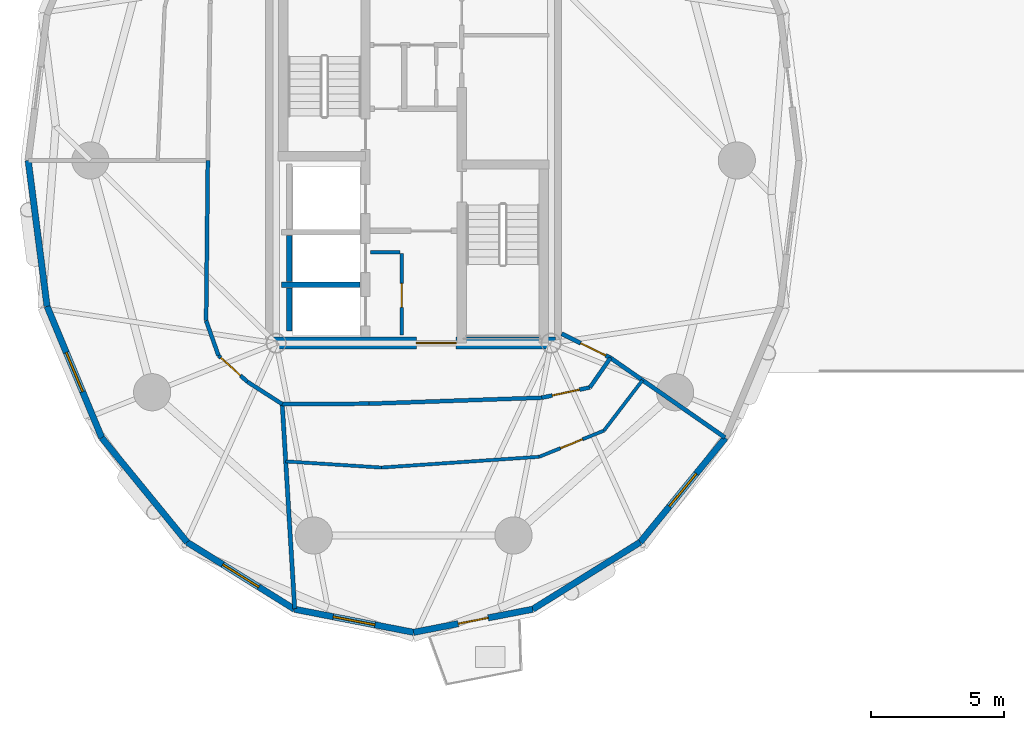
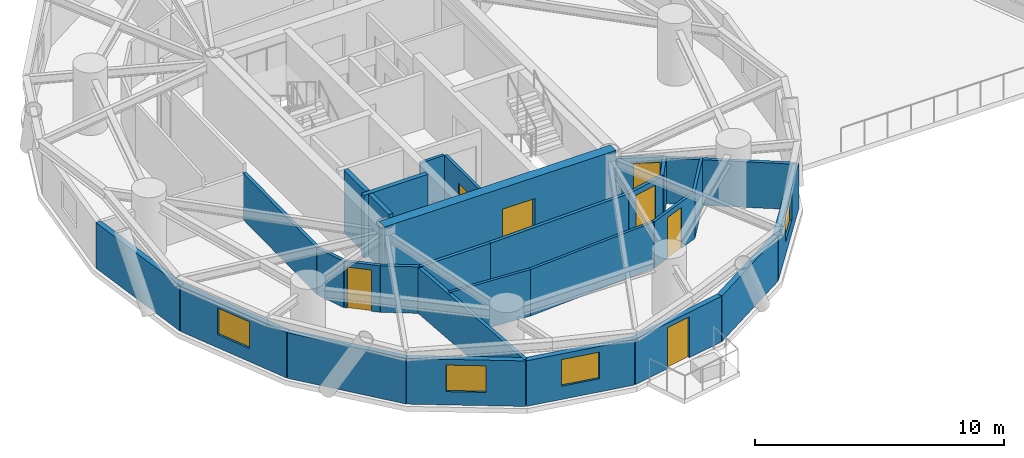
# One storey, part 9 of 19: 29 walls, 7 doors, 4 windows, 11 openings.
"""IFC4 building model written with IfcOpenShell, lengths in metres."""

from ifc_helpers import new_model, si_unit, direction, frame, frame_2d, origin, place, context, subcontext, project, spatial, rectangle, extrude, source, transform, mapped, material, layer, layer_set, type_object, element, fill, save


model = new_model("IFC4")

# Units and contexts
model_context = context("Model", 3, precision=1e-05, world=origin(), true_north=direction((0.0, 1.0)))
body_context = subcontext(model_context, "Body", "Model", "MODEL_VIEW")
ifc_project = project(units=[si_unit("LENGTHUNIT", "METRE"), si_unit("AREAUNIT", "SQUARE_METRE"), si_unit("VOLUMEUNIT", "CUBIC_METRE"), si_unit("PLANEANGLEUNIT", "RADIAN"), si_unit("MASSUNIT", "GRAM", prefix="KILO")], contexts=[model_context])

# Site, building, storey
site_placement = place(None, origin())
site = spatial("IfcSite", under=ifc_project, at=site_placement, CompositionType="ELEMENT")
building_placement = place(site_placement, origin())
building = spatial("IfcBuilding", under=site, at=building_placement, Name="Cununo Teusaquillo Station Towers", CompositionType="ELEMENT")
storey_placement = place(building_placement, frame((0.0, 0.0, 144.0400390625)))
storey = spatial("IfcBuildingStorey", under=building, at=storey_placement, Name="L45", CompositionType="ELEMENT", Elevation=144.0400390625)

# Walls
ifc_material_1 = material(Name="Concrete C50/60", Category="concrete")
ifc_layer_1 = layer(ifc_material_1, 0.199951171875)
ifc_layer_set_1 = layer_set([ifc_layer_1], Name="Concrete C50/60")
wall_type_1 = type_object("IfcWallType", Name="WL-CORE-200", PredefinedType="SHEAR", material=ifc_layer_set_1)
wall_1_placement = place(storey_placement, frame((11.52001953125, 19.824951171875, 0.0), z_axis=(0.0, 0.0, 1.0), x_axis=(1.0, 0.0, 0.0)))
element("IfcWall", 1, at=wall_1_placement, inside=storey, type_object=wall_type_1, Name="L45 Tower A High-Rise Lift Hoistway Divider Shear Wall", PredefinedType="SHEAR", context=body_context, shape_type="SweptSolid", body=[
    extrude(rectangle(XDim=2.969970703125, YDim=0.199951171875, at=frame_2d((1.48486328125, 0.0))), origin(), (0.0, 0.0, 1.0), 3.06005859375),
])
wall_2_placement = place(storey_placement, frame((11.820068359375, 19.945068359375, 0.0), z_axis=(0.0, 0.0, 1.0), x_axis=(0.0, 1.0, 0.0)))
element("IfcWall", 2, at=wall_2_placement, inside=storey, type_object=wall_type_1, Name="L45 Tower A High-Rise Lift 2 Shaft Rear Shear Wall", PredefinedType="SHEAR", context=body_context, shape_type="SweptSolid", body=[
    extrude(rectangle(XDim=1.73486328125, YDim=0.199951171875, at=frame_2d((0.867431640625, 0.0))), origin(), (0.0, 0.0, 1.0), 3.06005859375),
])
wall_3_placement = place(storey_placement, frame((11.820068359375, 18.070068359375, 0.0), z_axis=(0.0, 0.0, 1.0), x_axis=(0.0, 1.0, 0.0)))
element("IfcWall", 3, at=wall_3_placement, inside=storey, type_object=wall_type_1, Name="L45 Tower A High-Rise Lift 1 Shaft Rear Shear Wall", PredefinedType="SHEAR", context=body_context, shape_type="SweptSolid", body=[
    extrude(rectangle(XDim=1.635009765625, YDim=0.199951171875, at=frame_2d((0.8173828125, 0.0))), origin(), (0.0, 0.0, 1.0), 3.06005859375),
])

# Wall, opening, door
ifc_material_2 = material(Name="Concrete C60/75", Category="concrete")
ifc_layer_2 = layer(ifc_material_2, 0.449951171875)
ifc_layer_set_2 = layer_set([ifc_layer_2], Name="Concrete C60/75")
wall_type_2 = type_object("IfcWallType", Name="WL-CORE-450", PredefinedType="SHEAR", material=ifc_layer_set_2)
wall_4_placement = place(storey_placement, frame((11.14990234375, 17.625, 0.0), z_axis=(0.0, 0.0, 1.0), x_axis=(1.0, 0.0, 0.0)))
wall_4 = element("IfcWall", 4, at=wall_4_placement, inside=storey, type_object=wall_type_2, Name="L45 Tower A Core Shear Wall S", PredefinedType="SHEAR", context=body_context, shape_type="SweptSolid", body=[
    extrude(rectangle(XDim=10.7001953125, YDim=0.449951171875, at=frame_2d((5.35009765625, 0.0))), origin(), (0.0, 0.0, 1.0), 3.06005859375),
])
shared_shape_1 = source(origin(), body_context, "Body", "SweptSolid", [
    extrude(rectangle(XDim=1.5, YDim=2.02001953125, at=frame_2d((0.75, 1.010009765625))), frame((0.0, 0.23486328125, 0.0), z_axis=(0.0, -1.0, 0.0), x_axis=(1.0, 0.0, 0.0)), (0.0, 0.0, 1.0), 0.469970703125),
])
opening_1_placement = place(wall_4_placement, frame((5.449951171875, 0.0, 0.0)))
opening_1 = element("IfcOpeningElement", 5, at=opening_1_placement, cuts=wall_4, Name="Opening D-LB1", PredefinedType="OPENING", context=body_context, shape_type="MappedRepresentation", body=[
    mapped(shared_shape_1, transform((0.0, 0.0, 0.0), x_axis=(1.0, 0.0, 0.0), y_axis=(0.0, 1.0, 0.0), z_axis=(0.0, 0.0, 1.0), scale=1.0)),
])
ifc_material_3 = material(Name="Galvanised fire-rated hollow steel door assembly", Category="steel")
door_type_1 = type_object("IfcDoorType", Name="DR-LOBBY-1500", OperationType="DOUBLE_DOOR_SINGLE_SWING", PredefinedType="DOOR", material=ifc_material_3)
shared_shape_2 = source(origin(), body_context, "Body", "SweptSolid", [
    extrude(rectangle(XDim=1.5, YDim=2.02001953125, at=frame_2d((0.75, 1.010009765625))), frame((0.0, 0.02490234375, 0.0), z_axis=(0.0, -1.0, 0.0), x_axis=(1.0, 0.0, 0.0)), (0.0, 0.0, 1.0), 0.050048828125),
])
door_1_placement = place(opening_1_placement, origin())
door_1 = element("IfcDoor", 6, at=door_1_placement, inside=storey, type_object=door_type_1, Name="L45 Tower A South Core Lift Lobby Door", OperationType="DOUBLE_DOOR_SINGLE_SWING", OverallHeight=2.02001953125, OverallWidth=1.5, PredefinedType="DOOR", context=body_context, shape_type="MappedRepresentation", body=[
    mapped(shared_shape_2, transform((0.0, 0.0, 0.0), x_axis=(1.0, 0.0, 0.0), y_axis=(0.0, 1.0, 0.0), z_axis=(0.0, 0.0, 1.0), scale=1.0)),
])
fill(opening_1, door_1)

# Wall
ifc_material_4 = material(Name="Precast concrete C40/50", Category="concrete")
ifc_layer_3 = layer(ifc_material_4, 0.239990234375)
ifc_layer_set_3 = layer_set([ifc_layer_3], Name="Precast concrete C40/50")
wall_type_3 = type_object("IfcWallType", Name="WL-EXT-240", PredefinedType="SOLIDWALL", material=ifc_layer_set_3)
wall_5_placement = place(storey_placement, frame((2.6953125, 19.0087890625, 0.0), z_axis=(0.0, 0.0, 1.0), x_axis=(-0.128266533912, 0.991739732126, 0.0)))
element("IfcWall", 7, at=wall_5_placement, inside=storey, type_object=wall_type_3, Name="L45 Tower A Exterior Facade Wall C10", PredefinedType="SOLIDWALL", context=body_context, shape_type="SweptSolid", body=[
    extrude(rectangle(XDim=5.536865234375, YDim=0.239990234375, at=frame_2d((2.7685546875, 0.0))), origin(), (0.0, 0.0, 1.0), 2.22900390625),
])

# Wall, opening, window
wall_6_placement = place(storey_placement, frame((4.757080078125, 14.05517578125, 0.0), z_axis=(0.0, 0.0, 1.0), x_axis=(-0.384259959969, 0.923224936386, 0.0)))
wall_6 = element("IfcWall", 8, at=wall_6_placement, inside=storey, type_object=wall_type_3, Name="L45 Tower A Exterior Facade Wall C11", PredefinedType="SOLIDWALL", context=body_context, shape_type="SweptSolid", body=[
    extrude(rectangle(XDim=5.365478515625, YDim=0.239990234375, at=frame_2d((2.6826171875, 0.0))), origin(), (0.0, 0.0, 1.0), 2.22900390625),
])
shared_shape_3 = source(origin(), body_context, "Body", "SweptSolid", [
    extrude(rectangle(XDim=1.60009765625, YDim=1.300048828125, at=frame_2d((0.800048828125, 0.64990234375))), frame((0.0, 0.1298828125, 0.0), z_axis=(0.0, -1.0, 0.0), x_axis=(1.0, 0.0, 0.0)), (0.0, 0.0, 1.0), 0.260009765625),
])
opening_2_placement = place(wall_6_placement, frame((1.883056640625, 0.0, 0.64990234375)))
opening_2 = element("IfcOpeningElement", 9, at=opening_2_placement, cuts=wall_6, Name="Opening WN-03", PredefinedType="OPENING", context=body_context, shape_type="MappedRepresentation", body=[
    mapped(shared_shape_3, transform((0.0, 0.0, 0.0), x_axis=(1.0, 0.0, 0.0), y_axis=(0.0, 1.0, 0.0), z_axis=(0.0, 0.0, 1.0), scale=1.0)),
])
ifc_material_5 = material(Name="Ceramic-fritted dark low-E double glazing", Category="glass")
window_type = type_object("IfcWindowType", Name="WIN-CORN-1600", PartitioningType="SINGLE_PANEL", PredefinedType="WINDOW", material=ifc_material_5)
shared_shape_4 = source(origin(), body_context, "Body", "SweptSolid", [
    extrude(rectangle(XDim=1.60009765625, YDim=1.300048828125, at=frame_2d((0.800048828125, 0.64990234375))), frame((0.0, 0.030029296875, 0.0), z_axis=(0.0, -1.0, 0.0), x_axis=(1.0, 0.0, 0.0)), (0.0, 0.0, 1.0), 0.06005859375),
])
window_1_placement = place(opening_2_placement, origin())
window_1 = element("IfcWindow", 10, at=window_1_placement, inside=storey, type_object=window_type, Name="L45 Tower A Facade Window C11", OverallHeight=1.300048828125, OverallWidth=1.60009765625, PartitioningType="SINGLE_PANEL", PredefinedType="WINDOW", context=body_context, shape_type="MappedRepresentation", body=[
    mapped(shared_shape_4, transform((0.0, 0.0, 0.0), x_axis=(1.0, 0.0, 0.0), y_axis=(0.0, 1.0, 0.0), z_axis=(0.0, 0.0, 1.0), scale=1.0)),
])
fill(opening_2, window_1)

# Wall
wall_7_placement = place(storey_placement, frame((7.96826171875, 10.123779296875, 0.0), z_axis=(0.0, 0.0, 1.0), x_axis=(-0.632598524901, 0.774479894053, 0.0)))
element("IfcWall", 11, at=wall_7_placement, inside=storey, type_object=wall_type_3, Name="L45 Tower A Exterior Facade Wall C12", PredefinedType="SOLIDWALL", context=body_context, shape_type="SweptSolid", body=[
    extrude(rectangle(XDim=5.076171875, YDim=0.239990234375, at=frame_2d((2.5380859375, 0.0))), origin(), (0.0, 0.0, 1.0), 2.22900390625),
])

# Wall, opening, window
wall_8_placement = place(storey_placement, frame((12.0146484375, 7.599609375, 0.0), z_axis=(0.0, 0.0, 1.0), x_axis=(-0.848452391194, 0.529271707044, 0.0)))
wall_8 = element("IfcWall", 12, at=wall_8_placement, inside=storey, type_object=wall_type_3, Name="L45 Tower A Exterior Facade Wall C13", PredefinedType="SOLIDWALL", context=body_context, shape_type="SweptSolid", body=[
    extrude(rectangle(XDim=4.76904296875, YDim=0.239990234375, at=frame_2d((2.384521484375, 0.0))), origin(), (0.0, 0.0, 1.0), 2.22900390625),
])
opening_3_placement = place(wall_8_placement, frame((1.5849609375, 0.0, 0.64990234375)))
opening_3 = element("IfcOpeningElement", 13, at=opening_3_placement, cuts=wall_8, Name="Opening WN-03", PredefinedType="OPENING", context=body_context, shape_type="MappedRepresentation", body=[
    mapped(shared_shape_3, transform((0.0, 0.0, 0.0), x_axis=(1.0, 0.0, 0.0), y_axis=(0.0, 1.0, 0.0), z_axis=(0.0, 0.0, 1.0), scale=1.0)),
])
window_2_placement = place(opening_3_placement, origin())
window_2 = element("IfcWindow", 14, at=window_2_placement, inside=storey, type_object=window_type, Name="L45 Tower A Facade Window C13", OverallHeight=1.300048828125, OverallWidth=1.60009765625, PartitioningType="SINGLE_PANEL", PredefinedType="WINDOW", context=body_context, shape_type="MappedRepresentation", body=[
    mapped(shared_shape_4, transform((0.0, 0.0, 0.0), x_axis=(1.0, 0.0, 0.0), y_axis=(0.0, 1.0, 0.0), z_axis=(0.0, 0.0, 1.0), scale=1.0)),
])
fill(opening_3, window_2)

wall_9_placement = place(storey_placement, frame((16.5, 6.72998046875, 0.0), z_axis=(0.0, 0.0, 1.0), x_axis=(-0.981718699963, 0.190337579429, 0.0)))
wall_9 = element("IfcWall", 15, at=wall_9_placement, inside=storey, type_object=wall_type_3, Name="L45 Tower A Exterior Facade Wall C14", PredefinedType="SOLIDWALL", context=body_context, shape_type="SweptSolid", body=[
    extrude(rectangle(XDim=4.56884765625, YDim=0.239990234375, at=frame_2d((2.284423828125, 0.0))), origin(), (0.0, 0.0, 1.0), 2.22900390625),
])
opening_4_placement = place(wall_9_placement, frame((1.48388671875, 0.0, 0.64990234375)))
opening_4 = element("IfcOpeningElement", 16, at=opening_4_placement, cuts=wall_9, Name="Opening WN-03", PredefinedType="OPENING", context=body_context, shape_type="MappedRepresentation", body=[
    mapped(shared_shape_3, transform((0.0, 0.0, 0.0), x_axis=(1.0, 0.0, 0.0), y_axis=(0.0, 1.0, 0.0), z_axis=(0.0, 0.0, 1.0), scale=1.0)),
])
window_3_placement = place(opening_4_placement, origin())
window_3 = element("IfcWindow", 17, at=window_3_placement, inside=storey, type_object=window_type, Name="L45 Tower A Facade Window C14", OverallHeight=1.300048828125, OverallWidth=1.60009765625, PartitioningType="SINGLE_PANEL", PredefinedType="WINDOW", context=body_context, shape_type="MappedRepresentation", body=[
    mapped(shared_shape_4, transform((0.0, 0.0, 0.0), x_axis=(1.0, 0.0, 0.0), y_axis=(0.0, 1.0, 0.0), z_axis=(0.0, 0.0, 1.0), scale=1.0)),
])
fill(opening_4, window_3)

# Wall, opening, door
wall_10_placement = place(storey_placement, frame((20.9853515625, 7.599609375, 0.0), z_axis=(0.0, 0.0, 1.0), x_axis=(-0.981718699963, -0.190337579429, 0.0)))
wall_10 = element("IfcWall", 18, at=wall_10_placement, inside=storey, type_object=wall_type_3, Name="L45 Tower A Exterior Facade Wall C15", PredefinedType="SOLIDWALL", context=body_context, shape_type="SweptSolid", body=[
    extrude(rectangle(XDim=4.56884765625, YDim=0.239990234375, at=frame_2d((2.284423828125, 0.0))), origin(), (0.0, 0.0, 1.0), 2.22900390625),
])
shared_shape_5 = source(origin(), body_context, "Body", "SweptSolid", [
    extrude(rectangle(XDim=1.14990234375, YDim=2.0048828125, at=frame_2d((0.574951171875, 1.00244140625))), frame((0.0, 0.1298828125, 0.0), z_axis=(0.0, -1.0, 0.0), x_axis=(1.0, 0.0, 0.0)), (0.0, 0.0, 1.0), 0.260009765625),
])
opening_5_placement = place(wall_10_placement, frame((1.708984375, 0.0, 0.0)))
opening_5 = element("IfcOpeningElement", 19, at=opening_5_placement, cuts=wall_10, Name="Opening ED-03", PredefinedType="OPENING", context=body_context, shape_type="MappedRepresentation", body=[
    mapped(shared_shape_5, transform((0.0, 0.0, 0.0), x_axis=(1.0, 0.0, 0.0), y_axis=(0.0, 1.0, 0.0), z_axis=(0.0, 0.0, 1.0), scale=1.0)),
])
ifc_material_6 = material(Name="Anodised dark bronze aluminium EN AW-6063-T6", Category="aluminium")
door_type_2 = type_object("IfcDoorType", Name="DR-EXT-BAL", OperationType="NOTDEFINED", PredefinedType="DOOR", material=ifc_material_6)
shared_shape_6 = source(origin(), body_context, "Body", "SweptSolid", [
    extrude(rectangle(XDim=1.14990234375, YDim=2.0048828125, at=frame_2d((0.574951171875, 1.00244140625))), frame((0.0, 0.02490234375, 0.0), z_axis=(0.0, -1.0, 0.0), x_axis=(1.0, 0.0, 0.0)), (0.0, 0.0, 1.0), 0.050048828125),
])
door_2_placement = place(opening_5_placement, origin())
door_2 = element("IfcDoor", 20, at=door_2_placement, inside=storey, type_object=door_type_2, Name="L45 Tower A Tree Balcony Door C15", OperationType="SINGLE_SWING_LEFT", OverallHeight=2.0048828125, OverallWidth=1.14990234375, PredefinedType="DOOR", context=body_context, shape_type="MappedRepresentation", body=[
    mapped(shared_shape_6, transform((0.0, 0.0, 0.0), x_axis=(1.0, 0.0, 0.0), y_axis=(0.0, 1.0, 0.0), z_axis=(0.0, 0.0, 1.0), scale=1.0)),
])
fill(opening_5, door_2)

# Wall
wall_11_placement = place(storey_placement, frame((25.03173828125, 10.123779296875, 0.0), z_axis=(0.0, 0.0, 1.0), x_axis=(-0.848452391194, -0.529271707044, 0.0)))
element("IfcWall", 21, at=wall_11_placement, inside=storey, type_object=wall_type_3, Name="L45 Tower A Exterior Facade Wall C16", PredefinedType="SOLIDWALL", context=body_context, shape_type="SweptSolid", body=[
    extrude(rectangle(XDim=4.76904296875, YDim=0.239990234375, at=frame_2d((2.384521484375, 0.0))), origin(), (0.0, 0.0, 1.0), 2.22900390625),
])

# Wall, opening, window
wall_12_placement = place(storey_placement, frame((28.242919921875, 14.05517578125, 0.0), z_axis=(0.0, 0.0, 1.0), x_axis=(-0.632598524901, -0.774479894053, 0.0)))
wall_12 = element("IfcWall", 22, at=wall_12_placement, inside=storey, type_object=wall_type_3, Name="L45 Tower A Exterior Facade Wall C17", PredefinedType="SOLIDWALL", context=body_context, shape_type="SweptSolid", body=[
    extrude(rectangle(XDim=5.076171875, YDim=0.239990234375, at=frame_2d((2.5380859375, 0.0))), origin(), (0.0, 0.0, 1.0), 2.22900390625),
])
opening_6_placement = place(wall_12_placement, frame((1.738037109375, 0.0, 0.64990234375)))
opening_6 = element("IfcOpeningElement", 23, at=opening_6_placement, cuts=wall_12, Name="Opening WN-03", PredefinedType="OPENING", context=body_context, shape_type="MappedRepresentation", body=[
    mapped(shared_shape_3, transform((0.0, 0.0, 0.0), x_axis=(1.0, 0.0, 0.0), y_axis=(0.0, 1.0, 0.0), z_axis=(0.0, 0.0, 1.0), scale=1.0)),
])
window_4_placement = place(opening_6_placement, origin())
window_4 = element("IfcWindow", 24, at=window_4_placement, inside=storey, type_object=window_type, Name="L45 Tower A Facade Window C17", OverallHeight=1.300048828125, OverallWidth=1.60009765625, PartitioningType="SINGLE_PANEL", PredefinedType="WINDOW", context=body_context, shape_type="MappedRepresentation", body=[
    mapped(shared_shape_4, transform((0.0, 0.0, 0.0), x_axis=(1.0, 0.0, 0.0), y_axis=(0.0, 1.0, 0.0), z_axis=(0.0, 0.0, 1.0), scale=1.0)),
])
fill(opening_6, window_4)

# Wall, opening, door
ifc_material_7 = material(Name="Fire-rated gypsum plasterboard partition assembly", Category="gypsum")
ifc_layer_4 = layer(ifc_material_7, 0.125)
ifc_layer_set_4 = layer_set([ifc_layer_4], Name="Fire-rated gypsum plasterboard partition assembly")
wall_type_4 = type_object("IfcWallType", Name="WL-PART-125", PredefinedType="PARTITIONING", material=ifc_layer_set_4)
wall_13_placement = place(storey_placement, frame((16.050048828125, 17.919921875, 0.0), z_axis=(0.0, 0.0, 1.0), x_axis=(0.0, 1.0, 0.0)))
wall_13 = element("IfcWall", 25, at=wall_13_placement, inside=storey, type_object=wall_type_4, Name="L45 Tower A South-West Tall Store East Wall", PredefinedType="PARTITIONING", context=body_context, shape_type="SweptSolid", body=[
    extrude(rectangle(XDim=3.080078125, YDim=0.125, at=frame_2d((1.5400390625, 0.0))), origin(), (0.0, 0.0, 1.0), 2.705078125),
])
shared_shape_7 = source(origin(), body_context, "Body", "SweptSolid", [
    extrude(rectangle(XDim=0.89990234375, YDim=2.0048828125, at=frame_2d((0.449951171875, 1.00244140625))), frame((0.0, 0.072509765625, 0.0), z_axis=(0.0, -1.0, 0.0), x_axis=(1.0, 0.0, 0.0)), (0.0, 0.0, 1.0), 0.14501953125),
])
opening_7_placement = place(wall_13_placement, frame((1.050048828125, 0.0, 0.0)))
opening_7 = element("IfcOpeningElement", 26, at=opening_7_placement, cuts=wall_13, Name="Opening D-SR1", PredefinedType="OPENING", context=body_context, shape_type="MappedRepresentation", body=[
    mapped(shared_shape_7, transform((0.0, 0.0, 0.0), x_axis=(1.0, 0.0, 0.0), y_axis=(0.0, 1.0, 0.0), z_axis=(0.0, 0.0, 1.0), scale=1.0)),
])
ifc_material_8 = material(Name="Galvanised fire-rated hollow steel door assembly", Category="steel")
door_type_3 = type_object("IfcDoorType", Name="DR-STORE-900", OperationType="NOTDEFINED", PredefinedType="DOOR", material=ifc_material_8)
shared_shape_8 = source(origin(), body_context, "Body", "SweptSolid", [
    extrude(rectangle(XDim=0.89990234375, YDim=2.0048828125, at=frame_2d((0.449951171875, 1.00244140625))), frame((0.0, 0.02490234375, 0.0), z_axis=(0.0, -1.0, 0.0), x_axis=(1.0, 0.0, 0.0)), (0.0, 0.0, 1.0), 0.050048828125),
])
door_3_placement = place(opening_7_placement, origin())
door_3 = element("IfcDoor", 27, at=door_3_placement, inside=storey, type_object=door_type_3, Name="L45 Tower A South Cleaners Store Door", OperationType="SINGLE_SWING_RIGHT", OverallHeight=2.0048828125, OverallWidth=0.89990234375, PredefinedType="DOOR", context=body_context, shape_type="MappedRepresentation", body=[
    mapped(shared_shape_8, transform((0.0, 0.0, 0.0), x_axis=(1.0, 0.0, 0.0), y_axis=(0.0, 1.0, 0.0), z_axis=(0.0, 0.0, 1.0), scale=1.0)),
])
fill(opening_7, door_3)

# Walls
wall_14_placement = place(storey_placement, frame((14.8798828125, 21.050048828125, 0.0), z_axis=(0.0, 0.0, 1.0), x_axis=(1.0, 0.0, 0.0)))
element("IfcWall", 28, at=wall_14_placement, inside=storey, type_object=wall_type_4, Name="L45 Tower A South-West Tall Store North Wall", PredefinedType="PARTITIONING", context=body_context, shape_type="SweptSolid", body=[
    extrude(rectangle(XDim=1.10009765625, YDim=0.125, at=frame_2d((0.550048828125, 0.0))), origin(), (0.0, 0.0, 1.0), 2.705078125),
])
wall_15_placement = place(storey_placement, frame((11.68310546875, 13.167724609375, 0.0), z_axis=(0.0, 0.0, 1.0), x_axis=(0.997925028615, -0.06438662333, 0.0)))
element("IfcWall", 29, at=wall_15_placement, inside=storey, type_object=wall_type_4, Name="L45 Tower A Belvedere Tea & Reading Club Concentric Partition Wall C14", PredefinedType="PARTITIONING", context=body_context, shape_type="SweptSolid", body=[
    extrude(rectangle(XDim=3.60986328125, YDim=0.125, at=frame_2d((1.804931640625, 0.0))), origin(), (0.0, 0.0, 1.0), 2.27490234375),
])
wall_16_placement = place(storey_placement, frame((15.285400390625, 12.935302734375, 0.0), z_axis=(0.0, 0.0, 1.0), x_axis=(0.997680594374, 0.068069314736, 0.0)))
element("IfcWall", 30, at=wall_16_placement, inside=storey, type_object=wall_type_4, Name="L45 Tower A Belvedere Tea & Reading Club Concentric Partition Wall C15", PredefinedType="PARTITIONING", context=body_context, shape_type="SweptSolid", body=[
    extrude(rectangle(XDim=5.95751953125, YDim=0.125, at=frame_2d((2.978759765625, 0.0))), origin(), (0.0, 0.0, 1.0), 2.27490234375),
])

# Wall, opening, door
wall_17_placement = place(storey_placement, frame((21.22900390625, 13.3408203125, 0.0), z_axis=(0.0, 0.0, 1.0), x_axis=(0.927177333678, 0.374622732778, 0.0)))
wall_17 = element("IfcWall", 31, at=wall_17_placement, inside=storey, type_object=wall_type_4, Name="L45 Tower A Belvedere Tea & Reading Club Concentric Partition Wall C16", PredefinedType="PARTITIONING", context=body_context, shape_type="SweptSolid", body=[
    extrude(rectangle(XDim=2.62890625, YDim=0.125, at=frame_2d((1.314453125, 0.0))), origin(), (0.0, 0.0, 1.0), 2.27490234375),
])
opening_8_placement = place(wall_17_placement, frame((0.864501953125, 0.0, 0.0)))
opening_8 = element("IfcOpeningElement", 32, at=opening_8_placement, cuts=wall_17, Name="Opening D-IN1", PredefinedType="OPENING", context=body_context, shape_type="MappedRepresentation", body=[
    mapped(shared_shape_7, transform((0.0, 0.0, 0.0), x_axis=(1.0, 0.0, 0.0), y_axis=(0.0, 1.0, 0.0), z_axis=(0.0, 0.0, 1.0), scale=1.0)),
])
ifc_material_9 = material(Name="Acoustic solid-core hardwood leaf assembly", Category="wood")
door_type_4 = type_object("IfcDoorType", Name="DR-INT-900", OperationType="NOTDEFINED", PredefinedType="DOOR", material=ifc_material_9)
door_4_placement = place(opening_8_placement, origin())
door_4 = element("IfcDoor", 33, at=door_4_placement, inside=storey, type_object=door_type_4, Name="L45 Tower A Belvedere Tea & Reading Club Connecting Door", OperationType="SINGLE_SWING_LEFT", OverallHeight=2.0048828125, OverallWidth=0.89990234375, PredefinedType="DOOR", context=body_context, shape_type="MappedRepresentation", body=[
    mapped(shared_shape_8, transform((0.0, 0.0, 0.0), x_axis=(1.0, 0.0, 0.0), y_axis=(0.0, 1.0, 0.0), z_axis=(0.0, 0.0, 1.0), scale=1.0)),
])
fill(opening_8, door_4)

# Walls
wall_18_placement = place(storey_placement, frame((23.66650390625, 14.32568359375, 0.0), z_axis=(0.0, 0.0, 1.0), x_axis=(0.60779089321, 0.794097116309, 0.0)))
element("IfcWall", 34, at=wall_18_placement, inside=storey, type_object=wall_type_4, Name="L45 Tower A Belvedere Tea & Reading Club Concentric Partition Wall C17", PredefinedType="PARTITIONING", context=body_context, shape_type="SweptSolid", body=[
    extrude(rectangle(XDim=2.392822265625, YDim=0.125, at=frame_2d((1.1962890625, 0.0))), origin(), (0.0, 0.0, 1.0), 2.27490234375),
])
ifc_material_10 = material(Name="Fire-rated gypsum plasterboard partition assembly", Category="gypsum")
ifc_layer_5 = layer(ifc_material_10, 0.14990234375)
ifc_layer_set_5 = layer_set([ifc_layer_5], Name="Fire-rated gypsum plasterboard partition assembly")
wall_type_5 = type_object("IfcWallType", Name="WL-PART-150", PredefinedType="PARTITIONING", material=ifc_layer_set_5)
wall_19_placement = place(storey_placement, frame((8.75, 24.5, 0.0), z_axis=(0.0, 0.0, 1.0), x_axis=(-0.01076642715, -0.999942040344, 0.0)))
element("IfcWall", 35, at=wall_19_placement, inside=storey, type_object=wall_type_5, Name="L45 Tower A Corridor Ring Wall C10", PredefinedType="PARTITIONING", context=body_context, shape_type="SweptSolid", body=[
    extrude(rectangle(XDim=6.03173828125, YDim=0.14990234375, at=frame_2d((3.015869140625, 0.0))), origin(), (0.0, 0.0, 1.0), 2.27490234375),
])
wall_20_placement = place(storey_placement, frame((8.68505859375, 18.468505859375, 0.0), z_axis=(0.0, 0.0, 1.0), x_axis=(0.333415749461, -0.942779899028, 0.0)))
element("IfcWall", 36, at=wall_20_placement, inside=storey, type_object=wall_type_5, Name="L45 Tower A Corridor Ring Wall C11", PredefinedType="PARTITIONING", context=body_context, shape_type="SweptSolid", body=[
    extrude(rectangle(XDim=1.3935546875, YDim=0.14990234375, at=frame_2d((0.69677734375, 0.0))), origin(), (0.0, 0.0, 1.0), 2.27490234375),
])

# Wall, opening, door
wall_21_placement = place(storey_placement, frame((9.149658203125, 17.15478515625, 0.0), z_axis=(0.0, 0.0, 1.0), x_axis=(0.740451494731, -0.672109800517, 0.0)))
wall_21 = element("IfcWall", 37, at=wall_21_placement, inside=storey, type_object=wall_type_5, Name="L45 Tower A Corridor Ring Wall C12", PredefinedType="PARTITIONING", context=body_context, shape_type="SweptSolid", body=[
    extrude(rectangle(XDim=1.46826171875, YDim=0.14990234375, at=frame_2d((0.734130859375, 0.0))), origin(), (0.0, 0.0, 1.0), 2.27490234375),
])
shared_shape_9 = source(origin(), body_context, "Body", "SweptSolid", [
    extrude(rectangle(XDim=1.0, YDim=2.014892578125, at=frame_2d((0.5, 1.00732421875))), frame((0.0, 0.0849609375, 0.0), z_axis=(0.0, -1.0, 0.0), x_axis=(1.0, 0.0, 0.0)), (0.0, 0.0, 1.0), 0.169921875),
])
opening_9_placement = place(wall_21_placement, frame((0.1201171875, 0.0, 0.0)))
opening_9 = element("IfcOpeningElement", 38, at=opening_9_placement, cuts=wall_21, Name="Opening D-AC1", PredefinedType="OPENING", context=body_context, shape_type="MappedRepresentation", body=[
    mapped(shared_shape_9, transform((0.0, 0.0, 0.0), x_axis=(1.0, 0.0, 0.0), y_axis=(0.0, 1.0, 0.0), z_axis=(0.0, 0.0, 1.0), scale=1.0)),
])
ifc_material_11 = material(Name="Acoustic solid-core hardwood leaf assembly", Category="wood")
door_type_5 = type_object("IfcDoorType", Name="DR-ACC-1000", OperationType="NOTDEFINED", PredefinedType="DOOR", material=ifc_material_11)
shared_shape_10 = source(origin(), body_context, "Body", "SweptSolid", [
    extrude(rectangle(XDim=1.0, YDim=2.014892578125, at=frame_2d((0.5, 1.00732421875))), frame((0.0, 0.02490234375, 0.0), z_axis=(0.0, -1.0, 0.0), x_axis=(1.0, 0.0, 0.0)), (0.0, 0.0, 1.0), 0.050048828125),
])
door_5_placement = place(opening_9_placement, origin())
door_5 = element("IfcDoor", 39, at=door_5_placement, inside=storey, type_object=door_type_5, Name="L45 Tower A Public Accessible Restroom WC Entrance Door", OperationType="SINGLE_SWING_LEFT", OverallHeight=2.014892578125, OverallWidth=1.0, PredefinedType="DOOR", context=body_context, shape_type="MappedRepresentation", body=[
    mapped(shared_shape_10, transform((0.0, 0.0, 0.0), x_axis=(1.0, 0.0, 0.0), y_axis=(0.0, 1.0, 0.0), z_axis=(0.0, 0.0, 1.0), scale=1.0)),
])
fill(opening_9, door_5)

# Walls
wall_22_placement = place(storey_placement, frame((10.23681640625, 16.16796875, 0.0), z_axis=(0.0, 0.0, 1.0), x_axis=(0.842061223587, -0.53938195718, 0.0)))
element("IfcWall", 40, at=wall_22_placement, inside=storey, type_object=wall_type_5, Name="L45 Tower A Corridor Ring Wall C13", PredefinedType="PARTITIONING", context=body_context, shape_type="SweptSolid", body=[
    extrude(rectangle(XDim=1.5615234375, YDim=0.14990234375, at=frame_2d((0.78076171875, 0.0))), origin(), (0.0, 0.0, 1.0), 2.27490234375),
])
wall_23_placement = place(storey_placement, frame((11.5517578125, 15.32568359375, 0.0), z_axis=(0.0, 0.0, 1.0), x_axis=(0.999989573465, 0.004566504266, 0.0)))
element("IfcWall", 41, at=wall_23_placement, inside=storey, type_object=wall_type_5, Name="L45 Tower A Corridor Ring Wall C14", PredefinedType="PARTITIONING", context=body_context, shape_type="SweptSolid", body=[
    extrude(rectangle(XDim=3.26123046875, YDim=0.14990234375, at=frame_2d((1.630615234375, 0.0))), origin(), (0.0, 0.0, 1.0), 2.27490234375),
])
wall_24_placement = place(storey_placement, frame((14.81298828125, 15.340576171875, 0.0), z_axis=(0.0, 0.0, 1.0), x_axis=(0.999402077819, 0.034575813105, 0.0)))
element("IfcWall", 42, at=wall_24_placement, inside=storey, type_object=wall_type_5, Name="L45 Tower A Corridor Ring Wall C15", PredefinedType="PARTITIONING", context=body_context, shape_type="SweptSolid", body=[
    extrude(rectangle(XDim=6.517333984375, YDim=0.14990234375, at=frame_2d((3.2587890625, 0.0))), origin(), (0.0, 0.0, 1.0), 2.27490234375),
])

# Wall, opening, door
wall_25_placement = place(storey_placement, frame((21.326416015625, 15.56591796875, 0.0), z_axis=(0.0, 0.0, 1.0), x_axis=(0.977908238308, 0.209034632176, 0.0)))
wall_25 = element("IfcWall", 43, at=wall_25_placement, inside=storey, type_object=wall_type_5, Name="L45 Tower A Corridor Ring Wall C16", PredefinedType="PARTITIONING", context=body_context, shape_type="SweptSolid", body=[
    extrude(rectangle(XDim=1.854736328125, YDim=0.14990234375, at=frame_2d((0.92724609375, 0.0))), origin(), (0.0, 0.0, 1.0), 2.27490234375),
])
shared_shape_11 = source(origin(), body_context, "Body", "SweptSolid", [
    extrude(rectangle(XDim=1.050048828125, YDim=2.014892578125, at=frame_2d((0.52490234375, 1.00732421875))), frame((0.0, 0.0849609375, 0.0), z_axis=(0.0, -1.0, 0.0), x_axis=(1.0, 0.0, 0.0)), (0.0, 0.0, 1.0), 0.169921875),
])
opening_10_placement = place(wall_25_placement, frame((0.40234375, 0.0, 0.0)))
opening_10 = element("IfcOpeningElement", 44, at=opening_10_placement, cuts=wall_25, Name="Opening D-SU1", PredefinedType="OPENING", context=body_context, shape_type="MappedRepresentation", body=[
    mapped(shared_shape_11, transform((0.0, 0.0, 0.0), x_axis=(1.0, 0.0, 0.0), y_axis=(0.0, 1.0, 0.0), z_axis=(0.0, 0.0, 1.0), scale=1.0)),
])
ifc_material_12 = material(Name="Acoustic solid-core hardwood leaf assembly", Category="wood")
door_type_6 = type_object("IfcDoorType", Name="DR-SUITE-1050", OperationType="NOTDEFINED", PredefinedType="DOOR", material=ifc_material_12)
shared_shape_12 = source(origin(), body_context, "Body", "SweptSolid", [
    extrude(rectangle(XDim=1.050048828125, YDim=2.014892578125, at=frame_2d((0.52490234375, 1.00732421875))), frame((0.0, 0.02490234375, 0.0), z_axis=(0.0, -1.0, 0.0), x_axis=(1.0, 0.0, 0.0)), (0.0, 0.0, 1.0), 0.050048828125),
])
door_6_placement = place(opening_10_placement, origin())
door_6 = element("IfcDoor", 45, at=door_6_placement, inside=storey, type_object=door_type_6, Name="L45 Tower A Belvedere Tea & Reading Club Entrance Door", OperationType="SINGLE_SWING_RIGHT", OverallHeight=2.014892578125, OverallWidth=1.050048828125, PredefinedType="DOOR", context=body_context, shape_type="MappedRepresentation", body=[
    mapped(shared_shape_12, transform((0.0, 0.0, 0.0), x_axis=(1.0, 0.0, 0.0), y_axis=(0.0, 1.0, 0.0), z_axis=(0.0, 0.0, 1.0), scale=1.0)),
])
fill(opening_10, door_6)

# Walls
wall_26_placement = place(storey_placement, frame((23.14013671875, 15.95361328125, 0.0), z_axis=(0.0, 0.0, 1.0), x_axis=(0.570699895117, 0.821158711647, 0.0)))
element("IfcWall", 46, at=wall_26_placement, inside=storey, type_object=wall_type_5, Name="L45 Tower A Corridor Ring Wall C17", PredefinedType="PARTITIONING", context=body_context, shape_type="SweptSolid", body=[
    extrude(rectangle(XDim=1.35400390625, YDim=0.14990234375, at=frame_2d((0.677001953125, 0.0))), origin(), (0.0, 0.0, 1.0), 2.27490234375),
])
ifc_material_13 = material(Name="Fire-rated gypsum plasterboard partition assembly", Category="gypsum")
ifc_layer_6 = layer(ifc_material_13, 0.159912109375)
ifc_layer_set_6 = layer_set([ifc_layer_6], Name="Fire-rated gypsum plasterboard partition assembly")
wall_type_6 = type_object("IfcWallType", Name="WL-PART-160", PredefinedType="PARTITIONING", material=ifc_layer_set_6)
wall_27_placement = place(storey_placement, frame((11.5517578125, 15.32568359375, 0.0), z_axis=(0.0, 0.0, 1.0), x_axis=(0.060740403573, -0.998153597085, 0.0)))
element("IfcWall", 47, at=wall_27_placement, inside=storey, type_object=wall_type_6, Name="L45 Tower A Radial Suite Partition R04", PredefinedType="PARTITIONING", context=body_context, shape_type="SweptSolid", body=[
    extrude(rectangle(XDim=7.72119140625, YDim=0.159912109375, at=frame_2d((3.860595703125, 0.0))), origin(), (0.0, 0.0, 1.0), 2.22900390625),
])
wall_28_placement = place(storey_placement, frame((23.912841796875, 17.0654296875, 0.0), z_axis=(0.0, 0.0, 1.0), x_axis=(0.821126775727, -0.570745843773, 0.0)))
element("IfcWall", 48, at=wall_28_placement, inside=storey, type_object=wall_type_6, Name="L45 Tower A Radial Suite Partition R05", PredefinedType="PARTITIONING", context=body_context, shape_type="SweptSolid", body=[
    extrude(rectangle(XDim=5.253662109375, YDim=0.159912109375, at=frame_2d((2.626953125, 0.0))), origin(), (0.0, 0.0, 1.0), 2.22900390625),
])

# Wall, opening, door
wall_29_placement = place(storey_placement, frame((22.074951171875, 17.97509765625, 0.0), z_axis=(0.0, 0.0, 1.0), x_axis=(0.89622947115, -0.443590729212, 0.0)))
wall_29 = element("IfcWall", 49, at=wall_29_placement, inside=storey, type_object=wall_type_6, Name="L45 Tower A East Salon Corridor Portal Wall SE", PredefinedType="PARTITIONING", context=body_context, shape_type="SweptSolid", body=[
    extrude(rectangle(XDim=2.05078125, YDim=0.159912109375, at=frame_2d((1.025390625, 0.0))), origin(), (0.0, 0.0, 1.0), 2.27490234375),
])
shared_shape_13 = source(origin(), body_context, "Body", "SweptSolid", [
    extrude(rectangle(XDim=1.050048828125, YDim=2.014892578125, at=frame_2d((0.52490234375, 1.00732421875))), frame((0.0, 0.08984375, 0.0), z_axis=(0.0, -1.0, 0.0), x_axis=(1.0, 0.0, 0.0)), (0.0, 0.0, 1.0), 0.179931640625),
])
opening_11_placement = place(wall_29_placement, frame((0.800537109375, 0.0, 0.0)))
opening_11 = element("IfcOpeningElement", 50, at=opening_11_placement, cuts=wall_29, Name="Opening D-SU1", PredefinedType="OPENING", context=body_context, shape_type="MappedRepresentation", body=[
    mapped(shared_shape_13, transform((0.0, 0.0, 0.0), x_axis=(1.0, 0.0, 0.0), y_axis=(0.0, 1.0, 0.0), z_axis=(0.0, 0.0, 1.0), scale=1.0)),
])
door_7_placement = place(opening_11_placement, origin())
door_7 = element("IfcDoor", 51, at=door_7_placement, inside=storey, type_object=door_type_6, Name="L45 Tower A East Panorama Sky Salon Door SE", OperationType="SINGLE_SWING_RIGHT", OverallHeight=2.014892578125, OverallWidth=1.050048828125, PredefinedType="DOOR", context=body_context, shape_type="MappedRepresentation", body=[
    mapped(shared_shape_12, transform((0.0, 0.0, 0.0), x_axis=(1.0, 0.0, 0.0), y_axis=(0.0, 1.0, 0.0), z_axis=(0.0, 0.0, 1.0), scale=1.0)),
])
fill(opening_11, door_7)

save(model, "model.ifc")
